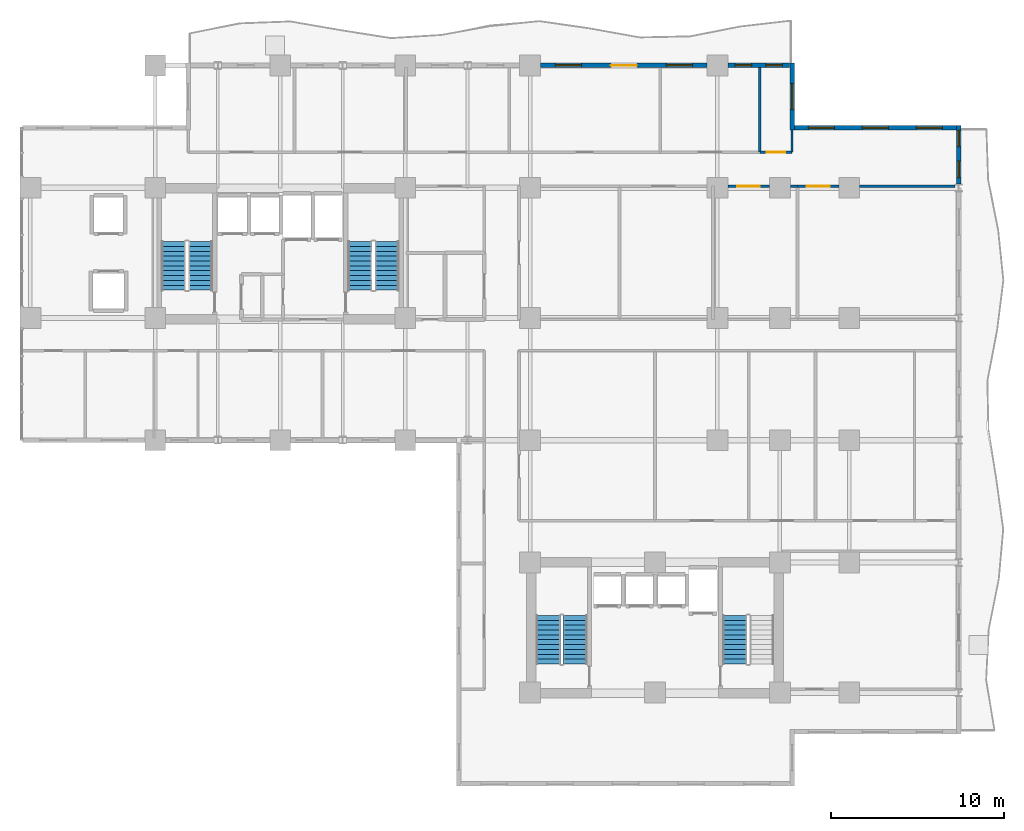
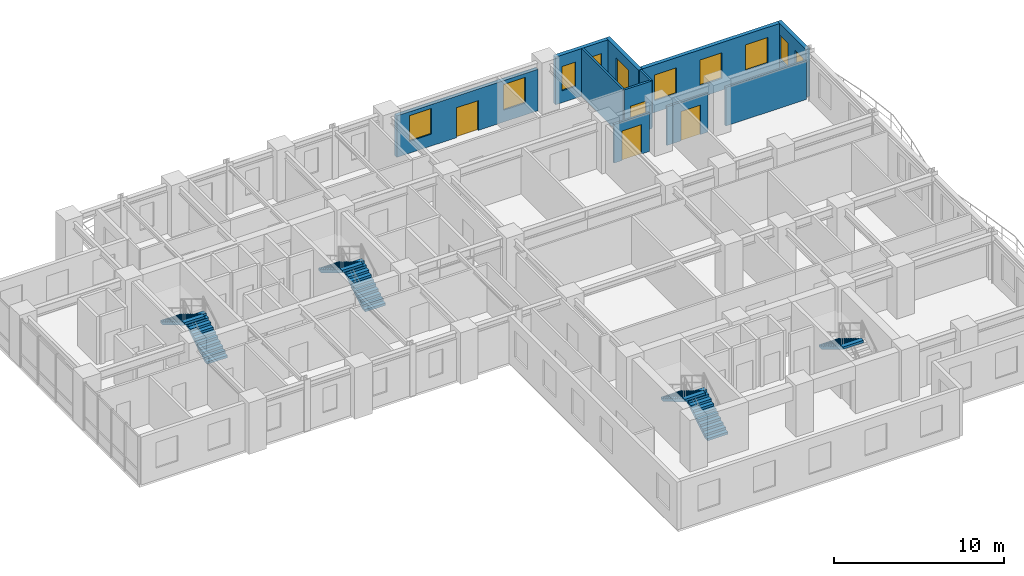
# One storey, part 13 of 17: 12 walls, 10 windows, 7 stair flights, 4 doors, 14 openings, 4 elements without a shape of their own.
"""IFC4 building model written with IfcOpenShell, lengths in metres."""

from ifc_helpers import new_model, si_unit, direction, frame, frame_2d, origin, place, context, subcontext, project, spatial, polyline, rectangle, outline, extrude, material, layer, layer_set, type_object, element, fill, aggregate, save


model = new_model("IFC4")

# Units and contexts
model_context = context("Model", 3, precision=1e-05, world=origin(), true_north=direction((0.0, 1.0)))
body_context = subcontext(model_context, "Body", "Model", "MODEL_VIEW")
ifc_project = project(units=[si_unit("LENGTHUNIT", "METRE"), si_unit("AREAUNIT", "SQUARE_METRE"), si_unit("VOLUMEUNIT", "CUBIC_METRE"), si_unit("PLANEANGLEUNIT", "RADIAN"), si_unit("MASSUNIT", "GRAM", prefix="KILO")], contexts=[model_context])

# Site, building, storey
site_placement = place(None, origin())
site = spatial("IfcSite", under=ifc_project, at=site_placement, CompositionType="ELEMENT")
building_placement = place(site_placement, origin())
building = spatial("IfcBuilding", under=site, at=building_placement, Name="Kaliganga Portal Commons", CompositionType="ELEMENT")
storey_placement = place(building_placement, frame((0.0, 0.0, 108.199951171875)))
storey = spatial("IfcBuildingStorey", under=building, at=storey_placement, Name="L27", CompositionType="ELEMENT", Elevation=108.199951171875)

# Wall, openings, windows
ifc_material_1 = material(Name="Insulated Aluminium-Clad Spandrel Assembly", Category="aluminium")
ifc_layer_1 = layer(ifc_material_1, 0.260009765625)
ifc_layer_set_1 = layer_set([ifc_layer_1], Name="Insulated Aluminium-Clad Spandrel Assembly")
wall_type_1 = type_object("IfcWallType", Name="WL-EXT-SPAND-260", PredefinedType="STANDARD", material=ifc_layer_set_1)
wall_1_placement = place(storey_placement, frame((60.699951171875, 39.72998046875, 0.0), z_axis=(0.0, 0.0, 1.0), x_axis=(0.0, -1.0, 0.0)))
wall_1 = element("IfcWall", 1, at=wall_1_placement, inside=storey, type_object=wall_type_1, Name="Exterior Envelope Wall L27 P1-E03-S6", PredefinedType="STANDARD", context=body_context, shape_type="SweptSolid", body=[
    extrude(rectangle(XDim=3.364013671875, YDim=0.260009765625, at=frame_2d((1.68212890625, 0.0))), origin(), (0.0, 0.0, 1.0), 3.429931640625),
])
opening_1_placement = place(wall_1_placement, frame((2.041259765625, 0.0, 0.85009765625)))
opening_1 = element("IfcOpeningElement", 2, at=opening_1_placement, cuts=wall_1, Name="Opening W-04", PredefinedType="OPENING", context=body_context, shape_type="SweptSolid", body=[
    extrude(rectangle(XDim=0.949951171875, YDim=1.75, at=frame_2d((0.47509765625, 0.875))), frame((0.0, 0.14013671875, 0.0), z_axis=(0.0, -1.0, 0.0), x_axis=(1.0, 0.0, 0.0)), (0.0, 0.0, 1.0), 0.280029296875),
])
opening_2_placement = place(wall_1_placement, frame((0.26513671875, 0.0, 0.85009765625)))
opening_2 = element("IfcOpeningElement", 3, at=opening_2_placement, cuts=wall_1, Name="Opening W-04", PredefinedType="OPENING", context=body_context, shape_type="SweptSolid", body=[
    extrude(rectangle(XDim=0.949951171875, YDim=1.75, at=frame_2d((0.47509765625, 0.875))), frame((0.0, 0.14013671875, 0.0), z_axis=(0.0, -1.0, 0.0), x_axis=(1.0, 0.0, 0.0)), (0.0, 0.0, 1.0), 0.280029296875),
])
ifc_material_2 = material(Name="Thermally Broken Aluminium and Low-E Double Glazing", Category="aluminium")
window_type_1 = type_object("IfcWindowType", Name="WIN-NARROW-950", PartitioningType="SINGLE_PANEL", PredefinedType="WINDOW", material=ifc_material_2)
window_1_placement = place(opening_1_placement, origin())
window_1 = element("IfcWindow", 4, at=window_1_placement, inside=storey, type_object=window_type_1, Name="Facade Window L27-P1E03S6-N2", OverallHeight=1.75, OverallWidth=0.949951171875, PartitioningType="SINGLE_PANEL", PredefinedType="WINDOW", context=body_context, shape_type="SweptSolid", body=[
    extrude(rectangle(XDim=0.949951171875, YDim=1.75, at=frame_2d((0.47509765625, 0.875))), frame((0.0, 0.030029296875, 0.0), z_axis=(0.0, -1.0, 0.0), x_axis=(1.0, 0.0, 0.0)), (0.0, 0.0, 1.0), 0.06005859375),
])
fill(opening_1, window_1)
window_2_placement = place(opening_2_placement, origin())
window_2 = element("IfcWindow", 5, at=window_2_placement, inside=storey, type_object=window_type_1, Name="Facade Window L27-P1E03S6-N9", OverallHeight=1.75, OverallWidth=0.949951171875, PartitioningType="SINGLE_PANEL", PredefinedType="WINDOW", context=body_context, shape_type="SweptSolid", body=[
    extrude(rectangle(XDim=0.949951171875, YDim=1.75, at=frame_2d((0.47509765625, 0.875))), frame((0.0, 0.030029296875, 0.0), z_axis=(0.0, -1.0, 0.0), x_axis=(1.0, 0.0, 0.0)), (0.0, 0.0, 1.0), 0.06005859375),
])
fill(opening_2, window_2)

wall_2_placement = place(storey_placement, frame((51.235107421875, 39.60009765625, 0.0), z_axis=(0.0, 0.0, 1.0), x_axis=(1.0, 0.0, 0.0)))
wall_2 = element("IfcWall", 6, at=wall_2_placement, inside=storey, type_object=wall_type_1, Name="Exterior Envelope Wall L27 P1-E04-S1", PredefinedType="STANDARD", context=body_context, shape_type="SweptSolid", body=[
    extrude(rectangle(XDim=9.329833984375, YDim=0.260009765625, at=frame_2d((4.6650390625, 0.0))), origin(), (0.0, 0.0, 1.0), 3.429931640625),
])
opening_3_placement = place(wall_2_placement, frame((0.804931640625, 0.0, 0.85009765625)))
opening_3 = element("IfcOpeningElement", 7, at=opening_3_placement, cuts=wall_2, Name="Opening W-02", PredefinedType="OPENING", context=body_context, shape_type="SweptSolid", body=[
    extrude(rectangle(XDim=1.5, YDim=1.85009765625, at=frame_2d((0.75, 0.925048828125))), frame((0.0, 0.14013671875, 0.0), z_axis=(0.0, -1.0, 0.0), x_axis=(1.0, 0.0, 0.0)), (0.0, 0.0, 1.0), 0.280029296875),
])
opening_4_placement = place(wall_2_placement, frame((3.9150390625, 0.0, 0.85009765625)))
opening_4 = element("IfcOpeningElement", 8, at=opening_4_placement, cuts=wall_2, Name="Opening W-02", PredefinedType="OPENING", context=body_context, shape_type="SweptSolid", body=[
    extrude(rectangle(XDim=1.5, YDim=1.85009765625, at=frame_2d((0.75, 0.925048828125))), frame((0.0, 0.14013671875, 0.0), z_axis=(0.0, -1.0, 0.0), x_axis=(1.0, 0.0, 0.0)), (0.0, 0.0, 1.0), 0.280029296875),
])
opening_5_placement = place(wall_2_placement, frame((7.02490234375, 0.0, 0.85009765625)))
opening_5 = element("IfcOpeningElement", 9, at=opening_5_placement, cuts=wall_2, Name="Opening W-02", PredefinedType="OPENING", context=body_context, shape_type="SweptSolid", body=[
    extrude(rectangle(XDim=1.5, YDim=1.85009765625, at=frame_2d((0.75, 0.925048828125))), frame((0.0, 0.14013671875, 0.0), z_axis=(0.0, -1.0, 0.0), x_axis=(1.0, 0.0, 0.0)), (0.0, 0.0, 1.0), 0.280029296875),
])
window_type_2 = type_object("IfcWindowType", Name="WIN-STD-1500", PartitioningType="DOUBLE_PANEL_VERTICAL", PredefinedType="WINDOW", material=ifc_material_2)
window_3_placement = place(opening_3_placement, origin())
window_3 = element("IfcWindow", 10, at=window_3_placement, inside=storey, type_object=window_type_2, Name="Facade Window L27-P1E04S1-00", OverallHeight=1.85009765625, OverallWidth=1.5, PartitioningType="SINGLE_PANEL", PredefinedType="WINDOW", context=body_context, shape_type="SweptSolid", body=[
    extrude(rectangle(XDim=1.5, YDim=1.85009765625, at=frame_2d((0.75, 0.925048828125))), frame((0.0, 0.030029296875, 0.0), z_axis=(0.0, -1.0, 0.0), x_axis=(1.0, 0.0, 0.0)), (0.0, 0.0, 1.0), 0.06005859375),
])
fill(opening_3, window_3)
window_4_placement = place(opening_4_placement, origin())
window_4 = element("IfcWindow", 11, at=window_4_placement, inside=storey, type_object=window_type_2, Name="Facade Window L27-P1E04S1-01", OverallHeight=1.85009765625, OverallWidth=1.5, PartitioningType="SINGLE_PANEL", PredefinedType="WINDOW", context=body_context, shape_type="SweptSolid", body=[
    extrude(rectangle(XDim=1.5, YDim=1.85009765625, at=frame_2d((0.75, 0.925048828125))), frame((0.0, 0.030029296875, 0.0), z_axis=(0.0, -1.0, 0.0), x_axis=(1.0, 0.0, 0.0)), (0.0, 0.0, 1.0), 0.06005859375),
])
fill(opening_4, window_4)
window_5_placement = place(opening_5_placement, origin())
window_5 = element("IfcWindow", 12, at=window_5_placement, inside=storey, type_object=window_type_2, Name="Facade Window L27-P1E04S1-02", OverallHeight=1.85009765625, OverallWidth=1.5, PartitioningType="SINGLE_PANEL", PredefinedType="WINDOW", context=body_context, shape_type="SweptSolid", body=[
    extrude(rectangle(XDim=1.5, YDim=1.85009765625, at=frame_2d((0.75, 0.925048828125))), frame((0.0, 0.030029296875, 0.0), z_axis=(0.0, -1.0, 0.0), x_axis=(1.0, 0.0, 0.0)), (0.0, 0.0, 1.0), 0.06005859375),
])
fill(opening_5, window_5)

# Wall, opening, window
wall_3_placement = place(storey_placement, frame((51.10009765625, 43.330078125, 0.0), z_axis=(0.0, 0.0, 1.0), x_axis=(0.0, -1.0, 0.0)))
wall_3 = element("IfcWall", 13, at=wall_3_placement, inside=storey, type_object=wall_type_1, Name="Exterior Envelope Wall L27 P1-E05-S1", PredefinedType="STANDARD", context=body_context, shape_type="SweptSolid", body=[
    extrude(rectangle(XDim=3.860107421875, YDim=0.260009765625, at=frame_2d((1.93017578125, 0.0))), origin(), (0.0, 0.0, 1.0), 3.429931640625),
])
opening_6_placement = place(wall_3_placement, frame((1.179931640625, 0.0, 0.85009765625)))
opening_6 = element("IfcOpeningElement", 14, at=opening_6_placement, cuts=wall_3, Name="Opening W-02", PredefinedType="OPENING", context=body_context, shape_type="SweptSolid", body=[
    extrude(rectangle(XDim=1.5, YDim=1.85009765625, at=frame_2d((0.75, 0.925048828125))), frame((0.0, 0.14013671875, 0.0), z_axis=(0.0, -1.0, 0.0), x_axis=(1.0, 0.0, 0.0)), (0.0, 0.0, 1.0), 0.280029296875),
])
window_6_placement = place(opening_6_placement, origin())
window_6 = element("IfcWindow", 15, at=window_6_placement, inside=storey, type_object=window_type_2, Name="Facade Window L27-P1E05S1-00", OverallHeight=1.85009765625, OverallWidth=1.5, PartitioningType="SINGLE_PANEL", PredefinedType="WINDOW", context=body_context, shape_type="SweptSolid", body=[
    extrude(rectangle(XDim=1.5, YDim=1.85009765625, at=frame_2d((0.75, 0.925048828125))), frame((0.0, 0.030029296875, 0.0), z_axis=(0.0, -1.0, 0.0), x_axis=(1.0, 0.0, 0.0)), (0.0, 0.0, 1.0), 0.06005859375),
])
fill(opening_6, window_6)

# Wall, openings, windows
wall_4_placement = place(storey_placement, frame((47.40087890625, 43.199951171875, 0.0), z_axis=(0.0, 0.0, 1.0), x_axis=(1.0, 0.0, 0.0)))
wall_4 = element("IfcWall", 16, at=wall_4_placement, inside=storey, type_object=wall_type_1, Name="Exterior Envelope Wall L27 P1-E06-S1", PredefinedType="STANDARD", context=body_context, shape_type="SweptSolid", body=[
    extrude(rectangle(XDim=3.564208984375, YDim=0.260009765625, at=frame_2d((1.7822265625, 0.0))), origin(), (0.0, 0.0, 1.0), 3.429931640625),
])
opening_7_placement = place(wall_4_placement, frame((0.423095703125, 0.0, 0.85009765625)))
opening_7 = element("IfcOpeningElement", 17, at=opening_7_placement, cuts=wall_4, Name="Opening W-04", PredefinedType="OPENING", context=body_context, shape_type="SweptSolid", body=[
    extrude(rectangle(XDim=0.949951171875, YDim=1.75, at=frame_2d((0.47509765625, 0.875))), frame((0.0, 0.14013671875, 0.0), z_axis=(0.0, -1.0, 0.0), x_axis=(1.0, 0.0, 0.0)), (0.0, 0.0, 1.0), 0.280029296875),
])
opening_8_placement = place(wall_4_placement, frame((2.19091796875, 0.0, 0.85009765625)))
opening_8 = element("IfcOpeningElement", 18, at=opening_8_placement, cuts=wall_4, Name="Opening W-04", PredefinedType="OPENING", context=body_context, shape_type="SweptSolid", body=[
    extrude(rectangle(XDim=0.949951171875, YDim=1.75, at=frame_2d((0.47509765625, 0.875))), frame((0.0, 0.14013671875, 0.0), z_axis=(0.0, -1.0, 0.0), x_axis=(1.0, 0.0, 0.0)), (0.0, 0.0, 1.0), 0.280029296875),
])
window_7_placement = place(opening_7_placement, origin())
window_7 = element("IfcWindow", 19, at=window_7_placement, inside=storey, type_object=window_type_1, Name="Facade Window L27-P1E06S1-N1", OverallHeight=1.75, OverallWidth=0.949951171875, PartitioningType="SINGLE_PANEL", PredefinedType="WINDOW", context=body_context, shape_type="SweptSolid", body=[
    extrude(rectangle(XDim=0.949951171875, YDim=1.75, at=frame_2d((0.47509765625, 0.875))), frame((0.0, 0.030029296875, 0.0), z_axis=(0.0, -1.0, 0.0), x_axis=(1.0, 0.0, 0.0)), (0.0, 0.0, 1.0), 0.06005859375),
])
fill(opening_7, window_7)
window_8_placement = place(opening_8_placement, origin())
window_8 = element("IfcWindow", 20, at=window_8_placement, inside=storey, type_object=window_type_1, Name="Facade Window L27-P1E06S1-N2", OverallHeight=1.75, OverallWidth=0.949951171875, PartitioningType="SINGLE_PANEL", PredefinedType="WINDOW", context=body_context, shape_type="SweptSolid", body=[
    extrude(rectangle(XDim=0.949951171875, YDim=1.75, at=frame_2d((0.47509765625, 0.875))), frame((0.0, 0.030029296875, 0.0), z_axis=(0.0, -1.0, 0.0), x_axis=(1.0, 0.0, 0.0)), (0.0, 0.0, 1.0), 0.06005859375),
])
fill(opening_8, window_8)

# Wall, openings, door, windows
wall_5_placement = place(storey_placement, frame((36.60107421875, 43.199951171875, 0.0), z_axis=(0.0, 0.0, 1.0), x_axis=(1.0, 0.0, 0.0)))
wall_5 = element("IfcWall", 21, at=wall_5_placement, inside=storey, type_object=wall_type_1, Name="Exterior Envelope Wall L27 P1-E06-S2", PredefinedType="STANDARD", context=body_context, shape_type="SweptSolid", body=[
    extrude(rectangle(XDim=9.597900390625, YDim=0.260009765625, at=frame_2d((4.798828125, 0.0))), origin(), (0.0, 0.0, 1.0), 2.97998046875),
])
opening_9_placement = place(wall_5_placement, frame((4.049072265625, 0.0, 0.0)))
opening_9 = element("IfcOpeningElement", 22, at=opening_9_placement, cuts=wall_5, Name="Opening BD-01", PredefinedType="OPENING", context=body_context, shape_type="SweptSolid", body=[
    extrude(rectangle(XDim=1.5, YDim=2.14990234375, at=frame_2d((0.75, 1.074951171875))), frame((0.0, 0.14013671875, 0.0), z_axis=(0.0, -1.0, 0.0), x_axis=(1.0, 0.0, 0.0)), (0.0, 0.0, 1.0), 0.280029296875),
])
opening_10_placement = place(wall_5_placement, frame((0.849609375, 0.0, 0.85009765625)))
opening_10 = element("IfcOpeningElement", 23, at=opening_10_placement, cuts=wall_5, Name="Opening W-02", PredefinedType="OPENING", context=body_context, shape_type="SweptSolid", body=[
    extrude(rectangle(XDim=1.5, YDim=1.85009765625, at=frame_2d((0.75, 0.925048828125))), frame((0.0, 0.14013671875, 0.0), z_axis=(0.0, -1.0, 0.0), x_axis=(1.0, 0.0, 0.0)), (0.0, 0.0, 1.0), 0.280029296875),
])
opening_11_placement = place(wall_5_placement, frame((7.248291015625, 0.0, 0.85009765625)))
opening_11 = element("IfcOpeningElement", 24, at=opening_11_placement, cuts=wall_5, Name="Opening W-02", PredefinedType="OPENING", context=body_context, shape_type="SweptSolid", body=[
    extrude(rectangle(XDim=1.5, YDim=1.85009765625, at=frame_2d((0.75, 0.925048828125))), frame((0.0, 0.14013671875, 0.0), z_axis=(0.0, -1.0, 0.0), x_axis=(1.0, 0.0, 0.0)), (0.0, 0.0, 1.0), 0.280029296875),
])
ifc_material_3 = material(Name="Anodized Aluminium and Laminated Safety Glass", Category="aluminium")
door_type_1 = type_object("IfcDoorType", Name="DR-BALC-1500", OperationType="SLIDING_TO_LEFT", PredefinedType="DOOR", material=ifc_material_3)
door_1_placement = place(opening_9_placement, origin())
door_1 = element("IfcDoor", 25, at=door_1_placement, inside=storey, type_object=door_type_1, Name="Balcony Sliding Door L27 balc_north", OperationType="SLIDING_TO_LEFT", OverallHeight=2.14990234375, OverallWidth=1.5, PredefinedType="DOOR", context=body_context, shape_type="SweptSolid", body=[
    extrude(rectangle(XDim=1.5, YDim=2.14990234375, at=frame_2d((0.75, 1.074951171875))), frame((0.0, 0.02490234375, 0.0), z_axis=(0.0, -1.0, 0.0), x_axis=(1.0, 0.0, 0.0)), (0.0, 0.0, 1.0), 0.050048828125),
])
fill(opening_9, door_1)
window_9_placement = place(opening_10_placement, origin())
window_9 = element("IfcWindow", 26, at=window_9_placement, inside=storey, type_object=window_type_2, Name="Facade Window L27-P1E06S2-00", OverallHeight=1.85009765625, OverallWidth=1.5, PartitioningType="SINGLE_PANEL", PredefinedType="WINDOW", context=body_context, shape_type="SweptSolid", body=[
    extrude(rectangle(XDim=1.5, YDim=1.85009765625, at=frame_2d((0.75, 0.925048828125))), frame((0.0, 0.030029296875, 0.0), z_axis=(0.0, -1.0, 0.0), x_axis=(1.0, 0.0, 0.0)), (0.0, 0.0, 1.0), 0.06005859375),
])
fill(opening_10, window_9)
window_10_placement = place(opening_11_placement, origin())
window_10 = element("IfcWindow", 27, at=window_10_placement, inside=storey, type_object=window_type_2, Name="Facade Window L27-P1E06S2-02", OverallHeight=1.85009765625, OverallWidth=1.5, PartitioningType="SINGLE_PANEL", PredefinedType="WINDOW", context=body_context, shape_type="SweptSolid", body=[
    extrude(rectangle(XDim=1.5, YDim=1.85009765625, at=frame_2d((0.75, 0.925048828125))), frame((0.0, 0.030029296875, 0.0), z_axis=(0.0, -1.0, 0.0), x_axis=(1.0, 0.0, 0.0)), (0.0, 0.0, 1.0), 0.06005859375),
])
fill(opening_11, window_10)

# Wall, opening, door
ifc_material_4 = material(Name="Fire-Rated Gypsum Board on Steel Stud", Category="steel")
ifc_layer_2 = layer(ifc_material_4, 0.14990234375)
ifc_layer_set_2 = layer_set([ifc_layer_2], Name="Fire-Rated Gypsum Board on Steel Stud")
wall_type_2 = type_object("IfcWallType", Name="WL-PART-CORR-150", PredefinedType="PARTITIONING", material=ifc_layer_set_2)
wall_6_placement = place(storey_placement, frame((51.419921875, 36.239990234375, 0.0), z_axis=(0.0, 0.0, 1.0), x_axis=(1.0, 0.0, 0.0)))
wall_6 = element("IfcWall", 28, at=wall_6_placement, inside=storey, type_object=wall_type_2, Name="Interior Partition L27-006", PredefinedType="PARTITIONING", context=body_context, shape_type="SweptSolid", body=[
    extrude(rectangle(XDim=2.380126953125, YDim=0.14990234375, at=frame_2d((1.18994140625, 0.0))), origin(), (0.0, 0.0, 1.0), 2.780029296875),
])
opening_12_placement = place(wall_6_placement, frame((0.5400390625, 0.0, 0.0)))
opening_12 = element("IfcOpeningElement", 29, at=opening_12_placement, cuts=wall_6, Name="Opening RD-03", PredefinedType="OPENING", context=body_context, shape_type="SweptSolid", body=[
    extrude(rectangle(XDim=1.300048828125, YDim=2.1201171875, at=frame_2d((0.64990234375, 1.06005859375))), frame((0.0, 0.0849609375, 0.0), z_axis=(0.0, -1.0, 0.0), x_axis=(1.0, 0.0, 0.0)), (0.0, 0.0, 1.0), 0.169921875),
])
ifc_material_5 = material(Name="Glazed Timber Seminar Vision Door", Category="wood")
door_type_2 = type_object("IfcDoorType", Name="DR-STUDY-1300", OperationType="DOUBLE_DOOR_SINGLE_SWING", PredefinedType="DOOR", material=ifc_material_5)
door_2_placement = place(opening_12_placement, origin())
door_2 = element("IfcDoor", 30, at=door_2_placement, inside=storey, type_object=door_type_2, Name="Interior Door L27-BK04", OperationType="DOUBLE_DOOR_SINGLE_SWING", OverallHeight=2.1201171875, OverallWidth=1.300048828125, PredefinedType="DOOR", context=body_context, shape_type="SweptSolid", body=[
    extrude(rectangle(XDim=1.300048828125, YDim=2.1201171875, at=frame_2d((0.64990234375, 1.06005859375))), frame((0.0, 0.02490234375, 0.0), z_axis=(0.0, -1.0, 0.0), x_axis=(1.0, 0.0, 0.0)), (0.0, 0.0, 1.0), 0.050048828125),
])
fill(opening_12, door_2)

# Wall
wall_7_placement = place(storey_placement, frame((55.0, 36.239990234375, 0.0), z_axis=(0.0, 0.0, 1.0), x_axis=(1.0, 0.0, 0.0)))
element("IfcWall", 31, at=wall_7_placement, inside=storey, type_object=wall_type_2, Name="Interior Partition L27-007", PredefinedType="PARTITIONING", context=body_context, shape_type="SweptSolid", body=[
    extrude(rectangle(XDim=5.49560546875, YDim=0.14990234375, at=frame_2d((2.747802734375, 0.0))), origin(), (0.0, 0.0, 1.0), 2.780029296875),
])

# Wall, opening, door
wall_8_placement = place(storey_placement, frame((47.39990234375, 36.239990234375, 0.0), z_axis=(0.0, 0.0, 1.0), x_axis=(1.0, 0.0, 0.0)))
wall_8 = element("IfcWall", 32, at=wall_8_placement, inside=storey, type_object=wall_type_2, Name="Interior Partition L27-023", PredefinedType="PARTITIONING", context=body_context, shape_type="SweptSolid", body=[
    extrude(rectangle(XDim=2.400146484375, YDim=0.14990234375, at=frame_2d((1.2001953125, 0.0))), origin(), (0.0, 0.0, 1.0), 2.780029296875),
])
opening_13_placement = place(wall_8_placement, frame((0.550048828125, 0.0, 0.0)))
opening_13 = element("IfcOpeningElement", 33, at=opening_13_placement, cuts=wall_8, Name="Opening RD-03", PredefinedType="OPENING", context=body_context, shape_type="SweptSolid", body=[
    extrude(rectangle(XDim=1.300048828125, YDim=2.1201171875, at=frame_2d((0.64990234375, 1.06005859375))), frame((0.0, 0.0849609375, 0.0), z_axis=(0.0, -1.0, 0.0), x_axis=(1.0, 0.0, 0.0)), (0.0, 0.0, 1.0), 0.169921875),
])
door_3_placement = place(opening_13_placement, origin())
door_3 = element("IfcDoor", 34, at=door_3_placement, inside=storey, type_object=door_type_2, Name="Interior Door L27-BK03", OperationType="DOUBLE_DOOR_SINGLE_SWING", OverallHeight=2.1201171875, OverallWidth=1.300048828125, PredefinedType="DOOR", context=body_context, shape_type="SweptSolid", body=[
    extrude(rectangle(XDim=1.300048828125, YDim=2.1201171875, at=frame_2d((0.64990234375, 1.06005859375))), frame((0.0, 0.02490234375, 0.0), z_axis=(0.0, -1.0, 0.0), x_axis=(1.0, 0.0, 0.0)), (0.0, 0.0, 1.0), 0.050048828125),
])
fill(opening_13, door_3)

# Wall
wall_9_placement = place(storey_placement, frame((51.0, 36.239990234375, 0.0), z_axis=(0.0, 0.0, 1.0), x_axis=(1.0, 0.0, 0.0)))
element("IfcWall", 35, at=wall_9_placement, inside=storey, type_object=wall_type_2, Name="Interior Partition L27-024", PredefinedType="PARTITIONING", context=body_context, shape_type="SweptSolid", body=[
    extrude(rectangle(XDim=0.419921875, YDim=0.14990234375, at=frame_2d((0.2099609375, 0.0))), origin(), (0.0, 0.0, 1.0), 2.780029296875),
])

# Wall, opening, door
wall_10_placement = place(storey_placement, frame((49.239990234375, 38.199951171875, 0.0), z_axis=(0.0, 0.0, 1.0), x_axis=(1.0, 0.0, 0.0)))
wall_10 = element("IfcWall", 36, at=wall_10_placement, inside=storey, type_object=wall_type_2, Name="Interior Partition L27-037", PredefinedType="PARTITIONING", context=body_context, shape_type="SweptSolid", body=[
    extrude(rectangle(XDim=1.860107421875, YDim=0.14990234375, at=frame_2d((0.93017578125, 0.0))), origin(), (0.0, 0.0, 1.0), 3.429931640625),
])
opening_14_placement = place(wall_10_placement, frame((0.405029296875, 0.0, 0.0)))
opening_14 = element("IfcOpeningElement", 37, at=opening_14_placement, cuts=wall_10, Name="Opening UD-02", PredefinedType="OPENING", context=body_context, shape_type="SweptSolid", body=[
    extrude(rectangle(XDim=1.050048828125, YDim=2.1201171875, at=frame_2d((0.52490234375, 1.06005859375))), frame((0.0, 0.0849609375, 0.0), z_axis=(0.0, -1.0, 0.0), x_axis=(1.0, 0.0, 0.0)), (0.0, 0.0, 1.0), 0.169921875),
])
ifc_material_6 = material(Name="Accessible Wide-Leaf Acoustic Fire Door", Category="wood")
door_type_3 = type_object("IfcDoorType", Name="DR-ACC-1050", OperationType="NOTDEFINED", PredefinedType="DOOR", material=ifc_material_6)
door_4_placement = place(opening_14_placement, origin())
door_4 = element("IfcDoor", 38, at=door_4_placement, inside=storey, type_object=door_type_3, Name="Interior Door L27-AN06", OperationType="SINGLE_SWING_RIGHT", OverallHeight=2.1201171875, OverallWidth=1.050048828125, PredefinedType="DOOR", context=body_context, shape_type="SweptSolid", body=[
    extrude(rectangle(XDim=1.050048828125, YDim=2.1201171875, at=frame_2d((0.52490234375, 1.06005859375))), frame((0.0, 0.02490234375, 0.0), z_axis=(0.0, -1.0, 0.0), x_axis=(1.0, 0.0, 0.0)), (0.0, 0.0, 1.0), 0.050048828125),
])
fill(opening_14, door_4)

# Walls
ifc_material_7 = material(Name="Cement-Board Wet-Room Partition", Category="gypsum")
ifc_layer_3 = layer(ifc_material_7, 0.135009765625)
ifc_layer_set_3 = layer_set([ifc_layer_3], Name="Cement-Board Wet-Room Partition")
wall_type_3 = type_object("IfcWallType", Name="WL-PART-WET-135", PredefinedType="PARTITIONING", material=ifc_layer_set_3)
wall_11_placement = place(storey_placement, frame((49.239990234375, 38.199951171875, 0.0), z_axis=(0.0, 0.0, 1.0), x_axis=(0.0, 1.0, 0.0)))
element("IfcWall", 39, at=wall_11_placement, inside=storey, type_object=wall_type_3, Name="Interior Partition L27-066", PredefinedType="PARTITIONING", context=body_context, shape_type="SweptSolid", body=[
    extrude(rectangle(XDim=4.8681640625, YDim=0.135009765625, at=frame_2d((2.43408203125, 0.0))), origin(), (0.0, 0.0, 1.0), 3.429931640625),
])
wall_12_placement = place(storey_placement, frame((51.10009765625, 38.199951171875, 0.0), z_axis=(0.0, 0.0, 1.0), x_axis=(0.0, 1.0, 0.0)))
element("IfcWall", 40, at=wall_12_placement, inside=storey, type_object=wall_type_3, Name="Interior Partition L27-067", PredefinedType="PARTITIONING", context=body_context, shape_type="SweptSolid", body=[
    extrude(rectangle(XDim=1.26806640625, YDim=0.135009765625, at=frame_2d((0.634033203125, 0.0))), origin(), (0.0, 0.0, 1.0), 3.429931640625),
])

# Stair, stair flights
ifc_material_8 = material(Name="Concrete C40/50", Category="concrete")
stair_type = type_object("IfcStairType", Name="ST-CORE-DOGLEG", PredefinedType="HALF_TURN_STAIR", material=ifc_material_8)
stair_1_placement = place(storey_placement, origin())
stair_1 = element("IfcStair", 41, at=stair_1_placement, inside=storey, type_object=stair_type, Name="L27 Protected Exit Stair ST-A1", PredefinedType="HALF_TURN_STAIR")
stair_flight_type = type_object("IfcStairFlightType", Name="STF-RC-1400", PredefinedType="STRAIGHT", material=ifc_material_8)
stair_flight_1_placement = place(storey_placement, frame((17.0, 30.25, 0.0), z_axis=(0.0, 0.0, 1.0), x_axis=(0.0, 1.0, 0.0)))
stair_flight_1 = element("IfcStairFlight", 42, at=stair_flight_1_placement, type_object=stair_flight_type, Name="ST-A1 flight 1", NumberOfRisers=11, NumberOfTreads=10, PredefinedType="STRAIGHT", RiserHeight=0.168181818, TreadLength=0.28, context=body_context, shape_type="SweptSolid", body=[
    extrude(outline(polyline([(0.0, 0.0), (0.0, 0.168212890625), (0.280029296875, 0.168212890625), (0.280029296875, 0.33642578125), (0.56005859375, 0.33642578125), (0.56005859375, 0.504638671875), (0.840087890625, 0.504638671875), (0.840087890625, 0.672607421875), (1.1201171875, 0.672607421875), (1.1201171875, 0.8408203125), (1.39990234375, 0.8408203125), (1.39990234375, 1.009033203125), (1.679931640625, 1.009033203125), (1.679931640625, 1.17724609375), (1.9599609375, 1.17724609375), (1.9599609375, 1.345458984375), (2.239990234375, 1.345458984375), (2.239990234375, 1.513671875), (2.52001953125, 1.513671875), (2.52001953125, 1.681884765625), (2.800048828125, 1.681884765625), (2.800048828125, 1.85009765625), (2.800048828125, 1.5068359375), (0.291015625, 0.0), (0.0, 0.0)])), frame((0.0, 0.699951171875, 0.0), z_axis=(0.0, -1.0, 0.0), x_axis=(1.0, 0.0, 0.0)), (0.0, 0.0, 1.0), 1.39990234375),
])
stair_flight_2_placement = place(storey_placement, frame((15.449951171875, 33.050048828125, 1.85009765625), z_axis=(0.0, 0.0, 1.0), x_axis=(0.0, -1.0, 0.0)))
stair_flight_2 = element("IfcStairFlight", 43, at=stair_flight_2_placement, type_object=stair_flight_type, Name="ST-A1 flight 2", NumberOfRisers=11, NumberOfTreads=10, PredefinedType="STRAIGHT", RiserHeight=0.168181818, TreadLength=0.28, context=body_context, shape_type="SweptSolid", body=[
    extrude(outline(polyline([(0.0, 0.0), (0.0, 0.168212890625), (0.280029296875, 0.168212890625), (0.280029296875, 0.33642578125), (0.56005859375, 0.33642578125), (0.56005859375, 0.504638671875), (0.840087890625, 0.504638671875), (0.840087890625, 0.672607421875), (1.1201171875, 0.672607421875), (1.1201171875, 0.8408203125), (1.39990234375, 0.8408203125), (1.39990234375, 1.009033203125), (1.679931640625, 1.009033203125), (1.679931640625, 1.17724609375), (1.9599609375, 1.17724609375), (1.9599609375, 1.345458984375), (2.239990234375, 1.345458984375), (2.239990234375, 1.513671875), (2.52001953125, 1.513671875), (2.52001953125, 1.681884765625), (2.800048828125, 1.681884765625), (2.800048828125, 1.85009765625), (2.800048828125, 1.5068359375), (0.291015625, 0.0), (0.0, 0.0)])), frame((0.0, 0.699951171875, 0.0), z_axis=(0.0, -1.0, 0.0), x_axis=(1.0, 0.0, 0.0)), (0.0, 0.0, 1.0), 1.39990234375),
])
aggregate(stair_1, [stair_flight_1, stair_flight_2])

stair_2_placement = place(storey_placement, origin())
stair_2 = element("IfcStair", 44, at=stair_2_placement, inside=storey, type_object=stair_type, Name="L27 Protected Exit Stair ST-A2", PredefinedType="HALF_TURN_STAIR")
stair_flight_3_placement = place(storey_placement, frame((27.75, 30.25, 0.0), z_axis=(0.0, 0.0, 1.0), x_axis=(0.0, 1.0, 0.0)))
stair_flight_3 = element("IfcStairFlight", 45, at=stair_flight_3_placement, type_object=stair_flight_type, Name="ST-A2 flight 1", NumberOfRisers=11, NumberOfTreads=10, PredefinedType="STRAIGHT", RiserHeight=0.168181818, TreadLength=0.28, context=body_context, shape_type="SweptSolid", body=[
    extrude(outline(polyline([(0.0, 0.0), (0.0, 0.168212890625), (0.280029296875, 0.168212890625), (0.280029296875, 0.33642578125), (0.56005859375, 0.33642578125), (0.56005859375, 0.504638671875), (0.840087890625, 0.504638671875), (0.840087890625, 0.672607421875), (1.1201171875, 0.672607421875), (1.1201171875, 0.8408203125), (1.39990234375, 0.8408203125), (1.39990234375, 1.009033203125), (1.679931640625, 1.009033203125), (1.679931640625, 1.17724609375), (1.9599609375, 1.17724609375), (1.9599609375, 1.345458984375), (2.239990234375, 1.345458984375), (2.239990234375, 1.513671875), (2.52001953125, 1.513671875), (2.52001953125, 1.681884765625), (2.800048828125, 1.681884765625), (2.800048828125, 1.85009765625), (2.800048828125, 1.5068359375), (0.291015625, 0.0), (0.0, 0.0)])), frame((0.0, 0.699951171875, 0.0), z_axis=(0.0, -1.0, 0.0), x_axis=(1.0, 0.0, 0.0)), (0.0, 0.0, 1.0), 1.39990234375),
])
stair_flight_4_placement = place(storey_placement, frame((26.199951171875, 33.050048828125, 1.85009765625), z_axis=(0.0, 0.0, 1.0), x_axis=(0.0, -1.0, 0.0)))
stair_flight_4 = element("IfcStairFlight", 46, at=stair_flight_4_placement, type_object=stair_flight_type, Name="ST-A2 flight 2", NumberOfRisers=11, NumberOfTreads=10, PredefinedType="STRAIGHT", RiserHeight=0.168181818, TreadLength=0.28, context=body_context, shape_type="SweptSolid", body=[
    extrude(outline(polyline([(0.0, 0.0), (0.0, 0.168212890625), (0.280029296875, 0.168212890625), (0.280029296875, 0.33642578125), (0.56005859375, 0.33642578125), (0.56005859375, 0.504638671875), (0.840087890625, 0.504638671875), (0.840087890625, 0.672607421875), (1.1201171875, 0.672607421875), (1.1201171875, 0.8408203125), (1.39990234375, 0.8408203125), (1.39990234375, 1.009033203125), (1.679931640625, 1.009033203125), (1.679931640625, 1.17724609375), (1.9599609375, 1.17724609375), (1.9599609375, 1.345458984375), (2.239990234375, 1.345458984375), (2.239990234375, 1.513671875), (2.52001953125, 1.513671875), (2.52001953125, 1.681884765625), (2.800048828125, 1.681884765625), (2.800048828125, 1.85009765625), (2.800048828125, 1.5068359375), (0.291015625, 0.0), (0.0, 0.0)])), frame((0.0, 0.699951171875, 0.0), z_axis=(0.0, -1.0, 0.0), x_axis=(1.0, 0.0, 0.0)), (0.0, 0.0, 1.0), 1.39990234375),
])
aggregate(stair_2, [stair_flight_3, stair_flight_4])

stair_3_placement = place(storey_placement, origin())
stair_3 = element("IfcStair", 47, at=stair_3_placement, inside=storey, type_object=stair_type, Name="L27 Protected Exit Stair ST-B1", PredefinedType="HALF_TURN_STAIR")
stair_flight_5_placement = place(storey_placement, frame((38.60009765625, 8.699951171875, 0.0), z_axis=(0.0, 0.0, 1.0), x_axis=(0.0, 1.0, 0.0)))
stair_flight_5 = element("IfcStairFlight", 48, at=stair_flight_5_placement, type_object=stair_flight_type, Name="ST-B1 flight 1", NumberOfRisers=11, NumberOfTreads=10, PredefinedType="STRAIGHT", RiserHeight=0.168181818, TreadLength=0.28, context=body_context, shape_type="SweptSolid", body=[
    extrude(outline(polyline([(0.0, 0.0), (0.0, 0.168212890625), (0.280029296875, 0.168212890625), (0.280029296875, 0.33642578125), (0.56005859375, 0.33642578125), (0.56005859375, 0.504638671875), (0.840087890625, 0.504638671875), (0.840087890625, 0.672607421875), (1.1201171875, 0.672607421875), (1.1201171875, 0.8408203125), (1.39990234375, 0.8408203125), (1.39990234375, 1.009033203125), (1.679931640625, 1.009033203125), (1.679931640625, 1.17724609375), (1.9599609375, 1.17724609375), (1.9599609375, 1.345458984375), (2.239990234375, 1.345458984375), (2.239990234375, 1.513671875), (2.52001953125, 1.513671875), (2.52001953125, 1.681884765625), (2.800048828125, 1.681884765625), (2.800048828125, 1.85009765625), (2.800048828125, 1.5068359375), (0.291015625, 0.0), (0.0, 0.0)])), frame((0.0, 0.699951171875, 0.0), z_axis=(0.0, -1.0, 0.0), x_axis=(1.0, 0.0, 0.0)), (0.0, 0.0, 1.0), 1.39990234375),
])
stair_flight_6_placement = place(storey_placement, frame((37.050048828125, 11.5, 1.85009765625), z_axis=(0.0, 0.0, 1.0), x_axis=(0.0, -1.0, 0.0)))
stair_flight_6 = element("IfcStairFlight", 49, at=stair_flight_6_placement, type_object=stair_flight_type, Name="ST-B1 flight 2", NumberOfRisers=11, NumberOfTreads=10, PredefinedType="STRAIGHT", RiserHeight=0.168181818, TreadLength=0.28, context=body_context, shape_type="SweptSolid", body=[
    extrude(outline(polyline([(0.0, 0.0), (0.0, 0.168212890625), (0.280029296875, 0.168212890625), (0.280029296875, 0.33642578125), (0.56005859375, 0.33642578125), (0.56005859375, 0.504638671875), (0.840087890625, 0.504638671875), (0.840087890625, 0.672607421875), (1.1201171875, 0.672607421875), (1.1201171875, 0.8408203125), (1.39990234375, 0.8408203125), (1.39990234375, 1.009033203125), (1.679931640625, 1.009033203125), (1.679931640625, 1.17724609375), (1.9599609375, 1.17724609375), (1.9599609375, 1.345458984375), (2.239990234375, 1.345458984375), (2.239990234375, 1.513671875), (2.52001953125, 1.513671875), (2.52001953125, 1.681884765625), (2.800048828125, 1.681884765625), (2.800048828125, 1.85009765625), (2.800048828125, 1.5068359375), (0.291015625, 0.0), (0.0, 0.0)])), frame((0.0, 0.699951171875, 0.0), z_axis=(0.0, -1.0, 0.0), x_axis=(1.0, 0.0, 0.0)), (0.0, 0.0, 1.0), 1.39990234375),
])
aggregate(stair_3, [stair_flight_5, stair_flight_6])

# Stair, stair flight
stair_4_placement = place(storey_placement, origin())
stair_4 = element("IfcStair", 50, at=stair_4_placement, inside=storey, type_object=stair_type, Name="L27 Protected Exit Stair ST-B2", PredefinedType="HALF_TURN_STAIR")
stair_flight_7_placement = place(storey_placement, frame((47.800048828125, 11.5, 1.85009765625), z_axis=(0.0, 0.0, 1.0), x_axis=(0.0, -1.0, 0.0)))
stair_flight_7 = element("IfcStairFlight", 51, at=stair_flight_7_placement, type_object=stair_flight_type, Name="ST-B2 flight 2", NumberOfRisers=11, NumberOfTreads=10, PredefinedType="STRAIGHT", RiserHeight=0.168181818, TreadLength=0.28, context=body_context, shape_type="SweptSolid", body=[
    extrude(outline(polyline([(0.0, 0.0), (0.0, 0.168212890625), (0.280029296875, 0.168212890625), (0.280029296875, 0.33642578125), (0.56005859375, 0.33642578125), (0.56005859375, 0.504638671875), (0.840087890625, 0.504638671875), (0.840087890625, 0.672607421875), (1.1201171875, 0.672607421875), (1.1201171875, 0.8408203125), (1.39990234375, 0.8408203125), (1.39990234375, 1.009033203125), (1.679931640625, 1.009033203125), (1.679931640625, 1.17724609375), (1.9599609375, 1.17724609375), (1.9599609375, 1.345458984375), (2.239990234375, 1.345458984375), (2.239990234375, 1.513671875), (2.52001953125, 1.513671875), (2.52001953125, 1.681884765625), (2.800048828125, 1.681884765625), (2.800048828125, 1.85009765625), (2.800048828125, 1.5068359375), (0.291015625, 0.0), (0.0, 0.0)])), frame((0.0, 0.699951171875, 0.0), z_axis=(0.0, -1.0, 0.0), x_axis=(1.0, 0.0, 0.0)), (0.0, 0.0, 1.0), 1.39990234375),
])
aggregate(stair_4, [stair_flight_7])

save(model, "model.ifc")
